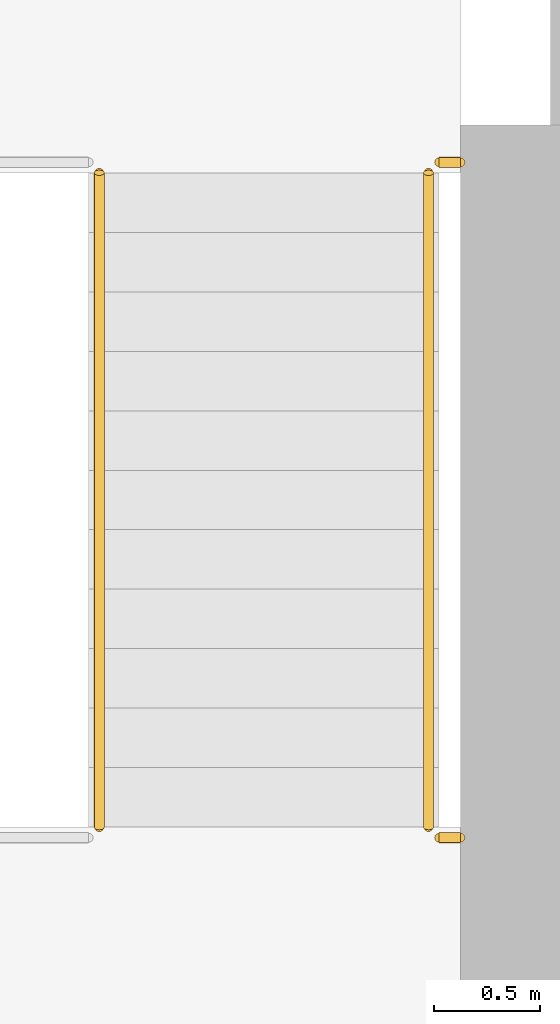
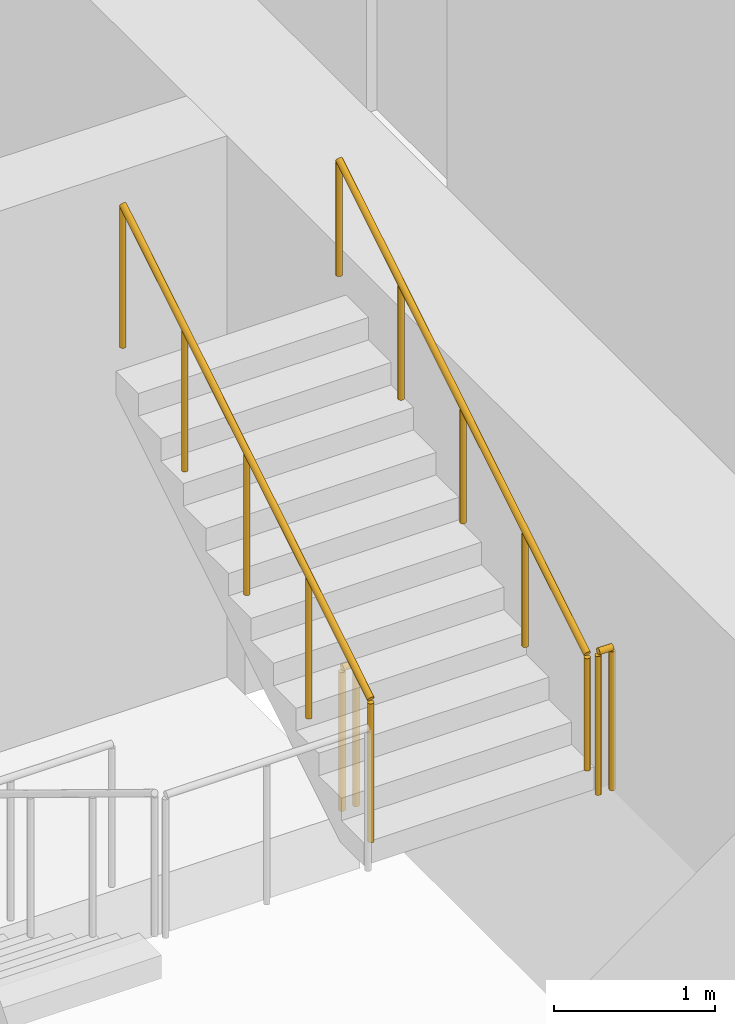
# One storey, part 12 of 17: 4 railings.
"""IFC4 building model written with IfcOpenShell, lengths in metres."""

from ifc_helpers import new_model, si_unit, direction, frame, origin, origin_2d, place, context, subcontext, project, spatial, circle, extrude, material, type_object, element, save


model = new_model("IFC4")

# Units and contexts
model_context = context("Model", 3, precision=1e-05, world=origin(), true_north=direction((0.0, 1.0)))
body_context = subcontext(model_context, "Body", "Model", "MODEL_VIEW")
ifc_project = project(units=[si_unit("LENGTHUNIT", "METRE"), si_unit("AREAUNIT", "SQUARE_METRE"), si_unit("VOLUMEUNIT", "CUBIC_METRE"), si_unit("PLANEANGLEUNIT", "RADIAN"), si_unit("MASSUNIT", "GRAM", prefix="KILO")], contexts=[model_context])

# Site, building, storey
site_placement = place(None, origin())
site = spatial("IfcSite", under=ifc_project, at=site_placement, CompositionType="ELEMENT")
building_placement = place(site_placement, origin())
building = spatial("IfcBuilding", under=site, at=building_placement, Name="Corbel Stack Research Tower", CompositionType="ELEMENT")
storey_placement = place(building_placement, frame((0.0, 0.0, 94.300048828125)))
storey = spatial("IfcBuildingStorey", under=building, at=storey_placement, Name="L21", CompositionType="ELEMENT", Elevation=94.300048828125)

# Railings
ifc_material_1 = material(Name="Steel S355", Category="steel")
railing_type_1 = type_object("IfcRailingType", Name="Stair guard 1100", PredefinedType="GUARDRAIL", material=ifc_material_1)
railing_1_placement = place(storey_placement, frame((17.0, -5.530029296875, 2.050048828125)))
element("IfcRailing", 1, at=railing_1_placement, inside=storey, type_object=railing_type_1, Name="L21 ST-E1 stair guard 3", PredefinedType="GUARDRAIL", context=body_context, shape_type="SweptSolid", body=[
    extrude(circle(Radius=0.02392578125, at=origin_2d()), frame((0.0, 0.0, 1.076171875), z_axis=(1.0, 0.0, 0.0), x_axis=(0.0, 1.0, 0.0)), (0.0, 0.0, 1.0), 0.10009765625),
    extrude(circle(Radius=0.02099609375, at=origin_2d()), origin(), (0.0, 0.0, 1.0), 1.052001953125),
    extrude(circle(Radius=0.02099609375, at=origin_2d()), frame((0.10009765625, 0.0, 0.0)), (0.0, 0.0, 1.0), 1.052001953125),
])
railing_2_placement = place(storey_placement, frame((15.39990234375, -5.47998046875, 2.220703125)))
element("IfcRailing", 2, at=railing_2_placement, inside=storey, type_object=railing_type_1, Name="L21 ST-E1 stair guard 4", PredefinedType="GUARDRAIL", context=body_context, shape_type="SweptSolid", body=[
    extrude(circle(Radius=0.02392578125, at=origin_2d()), frame((0.0, 0.0, 1.076171875), z_axis=(0.0, 0.853666305674, 0.52082035152), x_axis=(-1.0, 0.0, 0.0)), (0.0, 0.0, 1.0), 3.608154296875),
    extrude(circle(Radius=0.02099609375, at=origin_2d()), origin(), (0.0, 0.0, 1.0), 1.052001953125),
    extrude(circle(Radius=0.02099609375, at=origin_2d()), frame((0.0, 0.77001953125, 0.4697265625)), (0.0, 0.0, 1.0), 1.052001953125),
    extrude(circle(Radius=0.02099609375, at=origin_2d()), frame((0.0, 1.5400390625, 0.939453125)), (0.0, 0.0, 1.0), 1.052001953125),
    extrude(circle(Radius=0.02099609375, at=origin_2d()), frame((0.0, 2.31005859375, 1.409423828125)), (0.0, 0.0, 1.0), 1.052001953125),
    extrude(circle(Radius=0.02099609375, at=origin_2d()), frame((0.0, 3.080078125, 1.879150390625)), (0.0, 0.0, 1.0), 1.052001953125),
])
railing_3_placement = place(storey_placement, frame((17.0, -2.35009765625, 0.0)))
element("IfcRailing", 3, at=railing_3_placement, inside=storey, type_object=railing_type_1, Name="L21 ST-E1 stair guard 6", PredefinedType="GUARDRAIL", context=body_context, shape_type="SweptSolid", body=[
    extrude(circle(Radius=0.02392578125, at=origin_2d()), frame((0.0, 0.0, 1.076171875), z_axis=(1.0, 0.0, 0.0), x_axis=(0.0, 1.0, 0.0)), (0.0, 0.0, 1.0), 0.10009765625),
    extrude(circle(Radius=0.02099609375, at=origin_2d()), origin(), (0.0, 0.0, 1.0), 1.052001953125),
    extrude(circle(Radius=0.02099609375, at=origin_2d()), frame((0.10009765625, 0.0, 0.0)), (0.0, 0.0, 1.0), 1.052001953125),
])
ifc_material_2 = material(Name="Steel S355", Category="steel")
railing_type_2 = type_object("IfcRailingType", Name="Stair handrail 900", PredefinedType="HANDRAIL", material=ifc_material_2)
railing_4_placement = place(storey_placement, frame((16.949951171875, -5.47998046875, 2.220703125)))
element("IfcRailing", 4, at=railing_4_placement, inside=storey, type_object=railing_type_2, Name="L21 ST-E1 stair handrail 2", PredefinedType="HANDRAIL", context=body_context, shape_type="SweptSolid", body=[
    extrude(circle(Radius=0.02392578125, at=origin_2d()), frame((0.0, 0.0, 0.8759765625), z_axis=(0.0, 0.853666305674, 0.52082035152), x_axis=(-1.0, 0.0, 0.0)), (0.0, 0.0, 1.0), 3.608154296875),
    extrude(circle(Radius=0.02099609375, at=origin_2d()), origin(), (0.0, 0.0, 1.0), 0.851806640625),
    extrude(circle(Radius=0.02099609375, at=origin_2d()), frame((0.0, 0.77001953125, 0.4697265625)), (0.0, 0.0, 1.0), 0.851806640625),
    extrude(circle(Radius=0.02099609375, at=origin_2d()), frame((0.0, 1.5400390625, 0.939453125)), (0.0, 0.0, 1.0), 0.851806640625),
    extrude(circle(Radius=0.02099609375, at=origin_2d()), frame((0.0, 2.31005859375, 1.409423828125)), (0.0, 0.0, 1.0), 0.851806640625),
    extrude(circle(Radius=0.02099609375, at=origin_2d()), frame((0.0, 3.080078125, 1.879150390625)), (0.0, 0.0, 1.0), 0.851806640625),
])

save(model, "model.ifc")
